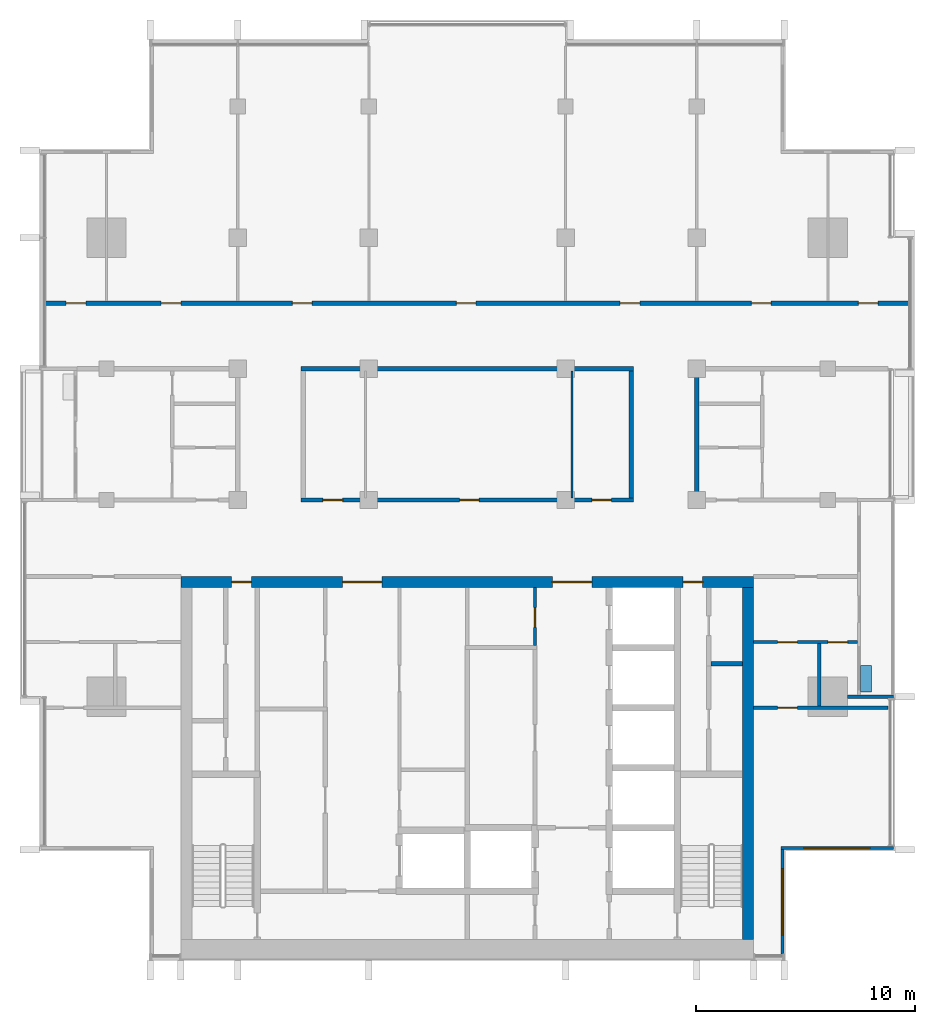
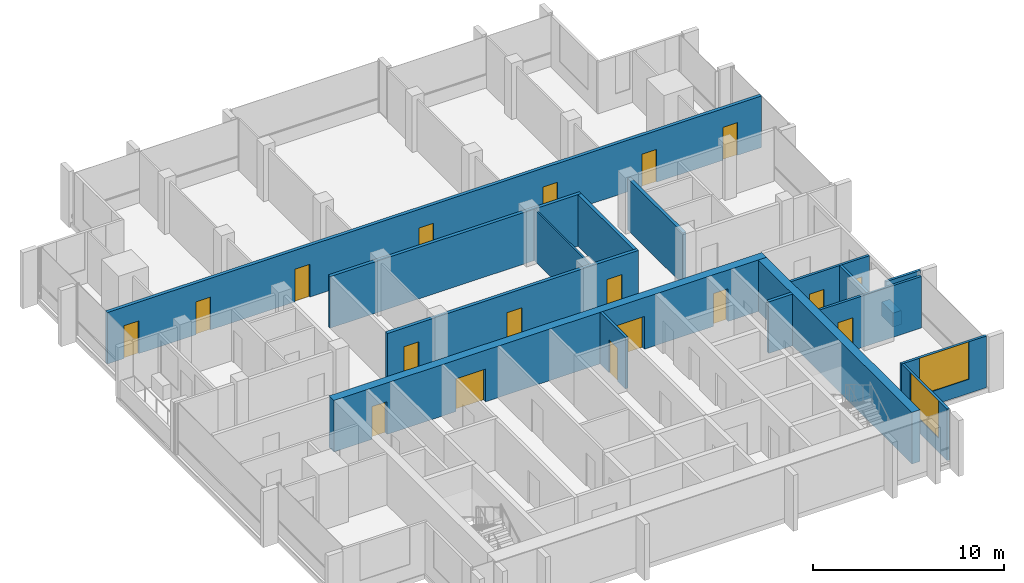
# One storey, part 9 of 15: 18 doors, 17 walls, 2 windows, 20 openings.
"""IFC4 building model written with IfcOpenShell, lengths in metres."""

from ifc_helpers import new_model, si_unit, direction, frame, frame_2d, origin, place, context, subcontext, project, spatial, rectangle, extrude, material, layer, layer_set, type_object, element, fill, save


model = new_model("IFC4")

# Units and contexts
model_context = context("Model", 3, precision=1e-05, world=origin(), true_north=direction((0.0, 1.0)))
body_context = subcontext(model_context, "Body", "Model", "MODEL_VIEW")
ifc_project = project(units=[si_unit("LENGTHUNIT", "METRE"), si_unit("AREAUNIT", "SQUARE_METRE"), si_unit("VOLUMEUNIT", "CUBIC_METRE"), si_unit("PLANEANGLEUNIT", "RADIAN"), si_unit("MASSUNIT", "GRAM", prefix="KILO")], contexts=[model_context])

# Site, building, storey
site_placement = place(None, origin())
site = spatial("IfcSite", under=ifc_project, at=site_placement, CompositionType="ELEMENT")
building_placement = place(site_placement, origin())
building = spatial("IfcBuilding", under=site, at=building_placement, Name="Finial Court Residences", CompositionType="ELEMENT")
storey_placement = place(building_placement, frame((0.0, 0.0, 266.300048828125)))
storey = spatial("IfcBuildingStorey", under=building, at=storey_placement, Name="L67", CompositionType="ELEMENT", Elevation=266.300048828125)

# Wall, openings, doors
ifc_material_1 = material(Name="Concrete C50/60", Category="concrete")
ifc_layer_1 = layer(ifc_material_1, 0.5)
ifc_layer_set_1 = layer_set([ifc_layer_1], Name="Core outer wall 500 Concrete C50/60")
wall_type_1 = type_object("IfcWallType", Name="Core outer wall 500 Concrete C50/60", PredefinedType="SHEAR", material=ifc_layer_set_1)
wall_1_placement = place(storey_placement, frame((-13.10009765625, -8.25, 0.0), z_axis=(0.0, 0.0, 1.0), x_axis=(1.0, 0.0, 0.0)))
wall_1 = element("IfcWall", 1, at=wall_1_placement, inside=storey, type_object=wall_type_1, Name="Core outer wall L67-02", PredefinedType="SHEAR", context=body_context, shape_type="SweptSolid", body=[
    extrude(rectangle(XDim=26.2001953125, YDim=0.5, at=frame_2d((13.10009765625, 0.0))), origin(), (0.0, 0.0, 1.0), 3.300048828125),
])
opening_1_placement = place(wall_1_placement, frame((7.39990234375, 0.0, 0.0)))
opening_1 = element("IfcOpeningElement", 2, at=opening_1_placement, cuts=wall_1, Name="Opening L67-C04", PredefinedType="OPENING", context=body_context, shape_type="SweptSolid", body=[
    extrude(rectangle(XDim=1.800048828125, YDim=2.10009765625, at=frame_2d((0.89990234375, 1.050048828125))), frame((0.0, 0.260009765625, 0.0), z_axis=(0.0, -1.0, 0.0), x_axis=(1.0, 0.0, 0.0)), (0.0, 0.0, 1.0), 0.52001953125),
])
opening_2_placement = place(wall_1_placement, frame((17.0, 0.0, 0.0)))
opening_2 = element("IfcOpeningElement", 3, at=opening_2_placement, cuts=wall_1, Name="Opening L67-C05", PredefinedType="OPENING", context=body_context, shape_type="SweptSolid", body=[
    extrude(rectangle(XDim=1.800048828125, YDim=2.10009765625, at=frame_2d((0.89990234375, 1.050048828125))), frame((0.0, 0.260009765625, 0.0), z_axis=(0.0, -1.0, 0.0), x_axis=(1.0, 0.0, 0.0)), (0.0, 0.0, 1.0), 0.52001953125),
])
opening_3_placement = place(wall_1_placement, frame((2.324951171875, 0.0, 0.0)))
opening_3 = element("IfcOpeningElement", 4, at=opening_3_placement, cuts=wall_1, Name="Opening L67-C11", PredefinedType="OPENING", context=body_context, shape_type="SweptSolid", body=[
    extrude(rectangle(XDim=0.89990234375, YDim=2.10009765625, at=frame_2d((0.449951171875, 1.050048828125))), frame((0.0, 0.260009765625, 0.0), z_axis=(0.0, -1.0, 0.0), x_axis=(1.0, 0.0, 0.0)), (0.0, 0.0, 1.0), 0.52001953125),
])
opening_4_placement = place(wall_1_placement, frame((22.97509765625, 0.0, 0.0)))
opening_4 = element("IfcOpeningElement", 5, at=opening_4_placement, cuts=wall_1, Name="Opening L67-C12", PredefinedType="OPENING", context=body_context, shape_type="SweptSolid", body=[
    extrude(rectangle(XDim=0.89990234375, YDim=2.10009765625, at=frame_2d((0.449951171875, 1.050048828125))), frame((0.0, 0.260009765625, 0.0), z_axis=(0.0, -1.0, 0.0), x_axis=(1.0, 0.0, 0.0)), (0.0, 0.0, 1.0), 0.52001953125),
])
ifc_material_2 = material(Name="Steel fire door", Category="steel")
door_type_1 = type_object("IfcDoorType", Name="Lift lobby door 1800 x 2100 EI 60", OperationType="DOUBLE_DOOR_SINGLE_SWING", PredefinedType="DOOR", material=ifc_material_2)
door_1_placement = place(opening_1_placement, origin())
door_1 = element("IfcDoor", 6, at=door_1_placement, inside=storey, type_object=door_type_1, Name="Lift lobby door L67-C04", OperationType="DOUBLE_DOOR_SINGLE_SWING", OverallHeight=2.10009765625, OverallWidth=1.800048828125, PredefinedType="DOOR", context=body_context, shape_type="SweptSolid", body=[
    extrude(rectangle(XDim=1.800048828125, YDim=2.10009765625, at=frame_2d((0.89990234375, 1.050048828125))), frame((0.0, 0.02490234375, 0.0), z_axis=(0.0, -1.0, 0.0), x_axis=(1.0, 0.0, 0.0)), (0.0, 0.0, 1.0), 0.050048828125),
])
fill(opening_1, door_1)
door_2_placement = place(opening_2_placement, origin())
door_2 = element("IfcDoor", 7, at=door_2_placement, inside=storey, type_object=door_type_1, Name="Lift lobby door L67-C05", OperationType="DOUBLE_DOOR_SINGLE_SWING", OverallHeight=2.10009765625, OverallWidth=1.800048828125, PredefinedType="DOOR", context=body_context, shape_type="SweptSolid", body=[
    extrude(rectangle(XDim=1.800048828125, YDim=2.10009765625, at=frame_2d((0.89990234375, 1.050048828125))), frame((0.0, 0.02490234375, 0.0), z_axis=(0.0, -1.0, 0.0), x_axis=(1.0, 0.0, 0.0)), (0.0, 0.0, 1.0), 0.050048828125),
])
fill(opening_2, door_2)
door_type_2 = type_object("IfcDoorType", Name="Riser room door 900 x 2100 EI 90", OperationType="NOTDEFINED", PredefinedType="DOOR", material=ifc_material_2)
door_3_placement = place(opening_3_placement, origin())
door_3 = element("IfcDoor", 8, at=door_3_placement, inside=storey, type_object=door_type_2, Name="Riser room door L67-C11", OperationType="SINGLE_SWING_RIGHT", OverallHeight=2.10009765625, OverallWidth=0.89990234375, PredefinedType="DOOR", context=body_context, shape_type="SweptSolid", body=[
    extrude(rectangle(XDim=0.89990234375, YDim=2.10009765625, at=frame_2d((0.449951171875, 1.050048828125))), frame((0.0, 0.02490234375, 0.0), z_axis=(0.0, -1.0, 0.0), x_axis=(1.0, 0.0, 0.0)), (0.0, 0.0, 1.0), 0.050048828125),
])
fill(opening_3, door_3)
door_4_placement = place(opening_4_placement, origin())
door_4 = element("IfcDoor", 9, at=door_4_placement, inside=storey, type_object=door_type_2, Name="Riser room door L67-C12", OperationType="SINGLE_SWING_LEFT", OverallHeight=2.10009765625, OverallWidth=0.89990234375, PredefinedType="DOOR", context=body_context, shape_type="SweptSolid", body=[
    extrude(rectangle(XDim=0.89990234375, YDim=2.10009765625, at=frame_2d((0.449951171875, 1.050048828125))), frame((0.0, 0.02490234375, 0.0), z_axis=(0.0, -1.0, 0.0), x_axis=(1.0, 0.0, 0.0)), (0.0, 0.0, 1.0), 0.050048828125),
])
fill(opening_4, door_4)

# Wall
wall_2_placement = place(storey_placement, frame((12.85009765625, -24.60009765625, 0.0), z_axis=(0.0, 0.0, 1.0), x_axis=(0.0, 1.0, 0.0)))
element("IfcWall", 10, at=wall_2_placement, inside=storey, type_object=wall_type_1, Name="Core outer wall L67-04", PredefinedType="SHEAR", context=body_context, shape_type="SweptSolid", body=[
    extrude(rectangle(XDim=16.10009765625, YDim=0.5, at=frame_2d((8.050048828125, 0.0))), origin(), (0.0, 0.0, 1.0), 3.300048828125),
])

# Wall, opening, door
ifc_material_3 = material(Name="Fire-rated gypsum board partition")
ifc_layer_2 = layer(ifc_material_3, 0.14990234375)
ifc_layer_set_2 = layer_set([ifc_layer_2], Name="Core room partition 150 EI 60")
wall_type_2 = type_object("IfcWallType", Name="Core room partition 150 EI 60", PredefinedType="PARTITIONING", material=ifc_layer_set_2)
wall_3_placement = place(storey_placement, frame((3.10009765625, -11.14990234375, 0.0), z_axis=(0.0, 0.0, 1.0), x_axis=(0.0, 1.0, 0.0)))
wall_3 = element("IfcWall", 11, at=wall_3_placement, inside=storey, type_object=wall_type_2, Name="Core partition L67-35", PredefinedType="PARTITIONING", context=body_context, shape_type="SweptSolid", body=[
    extrude(rectangle(XDim=2.64990234375, YDim=0.14990234375, at=frame_2d((1.324951171875, 0.0))), origin(), (0.0, 0.0, 1.0), 3.300048828125),
])
opening_5_placement = place(wall_3_placement, frame((0.824951171875, 0.0, 0.0)))
opening_5 = element("IfcOpeningElement", 12, at=opening_5_placement, cuts=wall_3, Name="Opening L67-C18", PredefinedType="OPENING", context=body_context, shape_type="SweptSolid", body=[
    extrude(rectangle(XDim=0.89990234375, YDim=2.10009765625, at=frame_2d((0.449951171875, 1.050048828125))), frame((0.0, 0.0849609375, 0.0), z_axis=(0.0, -1.0, 0.0), x_axis=(1.0, 0.0, 0.0)), (0.0, 0.0, 1.0), 0.169921875),
])
door_type_3 = type_object("IfcDoorType", Name="Core room door 900 x 2100 EI 60", OperationType="NOTDEFINED", PredefinedType="DOOR", material=ifc_material_2)
door_5_placement = place(opening_5_placement, origin())
door_5 = element("IfcDoor", 13, at=door_5_placement, inside=storey, type_object=door_type_3, Name="Core room door L67-C18", OperationType="SINGLE_SWING_LEFT", OverallHeight=2.10009765625, OverallWidth=0.89990234375, PredefinedType="DOOR", context=body_context, shape_type="SweptSolid", body=[
    extrude(rectangle(XDim=0.89990234375, YDim=2.10009765625, at=frame_2d((0.449951171875, 1.050048828125))), frame((0.0, 0.02490234375, 0.0), z_axis=(0.0, -1.0, 0.0), x_axis=(1.0, 0.0, 0.0)), (0.0, 0.0, 1.0), 0.050048828125),
])
fill(opening_5, door_5)

# Wall, openings, doors
ifc_material_4 = material(Name="Gypsum board")
ifc_layer_3 = layer(ifc_material_4, 0.02490234375)
ifc_material_5 = material(Name="Acoustic mineral wool in double frame")
ifc_layer_4 = layer(ifc_material_5, 0.14990234375)
ifc_layer_5 = layer(ifc_material_4, 0.02490234375)
ifc_layer_set_3 = layer_set([ifc_layer_3, ifc_layer_4, ifc_layer_5], Name="Corridor wall 200, 1 hour")
wall_type_3 = type_object("IfcWallType", Name="Corridor wall 200, 1 hour", PredefinedType="PARTITIONING", material=ifc_layer_set_3)
wall_4_placement = place(storey_placement, frame((-7.60009765625, -4.5, 0.0), z_axis=(0.0, 0.0, 1.0), x_axis=(1.0, 0.0, 0.0)))
wall_4 = element("IfcWall", 14, at=wall_4_placement, inside=storey, type_object=wall_type_3, Name="Partition L67-007", PredefinedType="PARTITIONING", context=body_context, shape_type="SweptSolid", body=[
    extrude(rectangle(XDim=15.2001953125, YDim=0.199951171875, at=frame_2d((7.60009765625, 0.0))), origin(), (0.0, 0.0, 1.0), 3.300048828125),
])
opening_6_placement = place(wall_4_placement, frame((1.0, 0.0, 0.0)))
opening_6 = element("IfcOpeningElement", 15, at=opening_6_placement, cuts=wall_4, Name="Opening L67-D010", PredefinedType="OPENING", context=body_context, shape_type="SweptSolid", body=[
    extrude(rectangle(XDim=0.89990234375, YDim=2.10009765625, at=frame_2d((0.449951171875, 1.050048828125))), frame((0.0, 0.10986328125, 0.0), z_axis=(0.0, -1.0, 0.0), x_axis=(1.0, 0.0, 0.0)), (0.0, 0.0, 1.0), 0.219970703125),
])
opening_7_placement = place(wall_4_placement, frame((7.25, 0.0, 0.0)))
opening_7 = element("IfcOpeningElement", 16, at=opening_7_placement, cuts=wall_4, Name="Opening L67-D011", PredefinedType="OPENING", context=body_context, shape_type="SweptSolid", body=[
    extrude(rectangle(XDim=0.89990234375, YDim=2.10009765625, at=frame_2d((0.449951171875, 1.050048828125))), frame((0.0, 0.10986328125, 0.0), z_axis=(0.0, -1.0, 0.0), x_axis=(1.0, 0.0, 0.0)), (0.0, 0.0, 1.0), 0.219970703125),
])
opening_8_placement = place(wall_4_placement, frame((13.300048828125, 0.0, 0.0)))
opening_8 = element("IfcOpeningElement", 17, at=opening_8_placement, cuts=wall_4, Name="Opening L67-D012", PredefinedType="OPENING", context=body_context, shape_type="SweptSolid", body=[
    extrude(rectangle(XDim=0.89990234375, YDim=2.10009765625, at=frame_2d((0.449951171875, 1.050048828125))), frame((0.0, 0.10986328125, 0.0), z_axis=(0.0, -1.0, 0.0), x_axis=(1.0, 0.0, 0.0)), (0.0, 0.0, 1.0), 0.219970703125),
])
ifc_material_6 = material(Name="Timber door leaf in hollow metal frame", Category="wood")
door_type_4 = type_object("IfcDoorType", Name="Fire door set 900 x 2100, 30 minutes", OperationType="SINGLE_SWING_LEFT", PredefinedType="DOOR", material=ifc_material_6)
door_6_placement = place(opening_6_placement, origin())
door_6 = element("IfcDoor", 18, at=door_6_placement, inside=storey, type_object=door_type_4, Name="Door L67-D010", OperationType="SINGLE_SWING_RIGHT", OverallHeight=2.10009765625, OverallWidth=0.89990234375, PredefinedType="DOOR", context=body_context, shape_type="SweptSolid", body=[
    extrude(rectangle(XDim=0.89990234375, YDim=2.10009765625, at=frame_2d((0.449951171875, 1.050048828125))), frame((0.0, 0.02490234375, 0.0), z_axis=(0.0, -1.0, 0.0), x_axis=(1.0, 0.0, 0.0)), (0.0, 0.0, 1.0), 0.050048828125),
])
fill(opening_6, door_6)
door_7_placement = place(opening_7_placement, origin())
door_7 = element("IfcDoor", 19, at=door_7_placement, inside=storey, type_object=door_type_4, Name="Door L67-D011", OperationType="SINGLE_SWING_LEFT", OverallHeight=2.10009765625, OverallWidth=0.89990234375, PredefinedType="DOOR", context=body_context, shape_type="SweptSolid", body=[
    extrude(rectangle(XDim=0.89990234375, YDim=2.10009765625, at=frame_2d((0.449951171875, 1.050048828125))), frame((0.0, 0.02490234375, 0.0), z_axis=(0.0, -1.0, 0.0), x_axis=(1.0, 0.0, 0.0)), (0.0, 0.0, 1.0), 0.050048828125),
])
fill(opening_7, door_7)
door_8_placement = place(opening_8_placement, origin())
door_8 = element("IfcDoor", 20, at=door_8_placement, inside=storey, type_object=door_type_4, Name="Door L67-D012", OperationType="SINGLE_SWING_LEFT", OverallHeight=2.10009765625, OverallWidth=0.89990234375, PredefinedType="DOOR", context=body_context, shape_type="SweptSolid", body=[
    extrude(rectangle(XDim=0.89990234375, YDim=2.10009765625, at=frame_2d((0.449951171875, 1.050048828125))), frame((0.0, 0.02490234375, 0.0), z_axis=(0.0, -1.0, 0.0), x_axis=(1.0, 0.0, 0.0)), (0.0, 0.0, 1.0), 0.050048828125),
])
fill(opening_8, door_8)

# Wall
wall_5_placement = place(storey_placement, frame((-7.60009765625, 1.5, 0.0), z_axis=(0.0, 0.0, 1.0), x_axis=(1.0, 0.0, 0.0)))
element("IfcWall", 21, at=wall_5_placement, inside=storey, type_object=wall_type_3, Name="Partition L67-014", PredefinedType="PARTITIONING", context=body_context, shape_type="SweptSolid", body=[
    extrude(rectangle(XDim=15.2001953125, YDim=0.199951171875, at=frame_2d((7.60009765625, 0.0))), origin(), (0.0, 0.0, 1.0), 3.300048828125),
])

# Wall, openings, doors
wall_6_placement = place(storey_placement, frame((-19.35009765625, 4.5, 0.0), z_axis=(0.0, 0.0, 1.0), x_axis=(1.0, 0.0, 0.0)))
wall_6 = element("IfcWall", 22, at=wall_6_placement, inside=storey, type_object=wall_type_3, Name="Partition L67-016", PredefinedType="PARTITIONING", context=body_context, shape_type="SweptSolid", body=[
    extrude(rectangle(XDim=39.60009765625, YDim=0.199951171875, at=frame_2d((19.800048828125, 0.0))), origin(), (0.0, 0.0, 1.0), 3.300048828125),
])
opening_9_placement = place(wall_6_placement, frame((1.0, 0.0, 0.0)))
opening_9 = element("IfcOpeningElement", 23, at=opening_9_placement, cuts=wall_6, Name="Opening L67-D016", PredefinedType="OPENING", context=body_context, shape_type="SweptSolid", body=[
    extrude(rectangle(XDim=0.89990234375, YDim=2.10009765625, at=frame_2d((0.449951171875, 1.050048828125))), frame((0.0, 0.10986328125, 0.0), z_axis=(0.0, -1.0, 0.0), x_axis=(1.0, 0.0, 0.0)), (0.0, 0.0, 1.0), 0.219970703125),
])
opening_10_placement = place(wall_6_placement, frame((5.35009765625, 0.0, 0.0)))
opening_10 = element("IfcOpeningElement", 24, at=opening_10_placement, cuts=wall_6, Name="Opening L67-D017", PredefinedType="OPENING", context=body_context, shape_type="SweptSolid", body=[
    extrude(rectangle(XDim=0.89990234375, YDim=2.10009765625, at=frame_2d((0.449951171875, 1.050048828125))), frame((0.0, 0.10986328125, 0.0), z_axis=(0.0, -1.0, 0.0), x_axis=(1.0, 0.0, 0.0)), (0.0, 0.0, 1.0), 0.219970703125),
])
opening_11_placement = place(wall_6_placement, frame((11.35009765625, 0.0, 0.0)))
opening_11 = element("IfcOpeningElement", 25, at=opening_11_placement, cuts=wall_6, Name="Opening L67-D018", PredefinedType="OPENING", context=body_context, shape_type="SweptSolid", body=[
    extrude(rectangle(XDim=0.89990234375, YDim=2.10009765625, at=frame_2d((0.449951171875, 1.050048828125))), frame((0.0, 0.10986328125, 0.0), z_axis=(0.0, -1.0, 0.0), x_axis=(1.0, 0.0, 0.0)), (0.0, 0.0, 1.0), 0.219970703125),
])
opening_12_placement = place(wall_6_placement, frame((18.85009765625, 0.0, 0.0)))
opening_12 = element("IfcOpeningElement", 26, at=opening_12_placement, cuts=wall_6, Name="Opening L67-D019", PredefinedType="OPENING", context=body_context, shape_type="SweptSolid", body=[
    extrude(rectangle(XDim=0.89990234375, YDim=2.10009765625, at=frame_2d((0.449951171875, 1.050048828125))), frame((0.0, 0.10986328125, 0.0), z_axis=(0.0, -1.0, 0.0), x_axis=(1.0, 0.0, 0.0)), (0.0, 0.0, 1.0), 0.219970703125),
])
opening_13_placement = place(wall_6_placement, frame((26.35009765625, 0.0, 0.0)))
opening_13 = element("IfcOpeningElement", 27, at=opening_13_placement, cuts=wall_6, Name="Opening L67-D020", PredefinedType="OPENING", context=body_context, shape_type="SweptSolid", body=[
    extrude(rectangle(XDim=0.89990234375, YDim=2.10009765625, at=frame_2d((0.449951171875, 1.050048828125))), frame((0.0, 0.10986328125, 0.0), z_axis=(0.0, -1.0, 0.0), x_axis=(1.0, 0.0, 0.0)), (0.0, 0.0, 1.0), 0.219970703125),
])
opening_14_placement = place(wall_6_placement, frame((32.35009765625, 0.0, 0.0)))
opening_14 = element("IfcOpeningElement", 28, at=opening_14_placement, cuts=wall_6, Name="Opening L67-D021", PredefinedType="OPENING", context=body_context, shape_type="SweptSolid", body=[
    extrude(rectangle(XDim=0.89990234375, YDim=2.10009765625, at=frame_2d((0.449951171875, 1.050048828125))), frame((0.0, 0.10986328125, 0.0), z_axis=(0.0, -1.0, 0.0), x_axis=(1.0, 0.0, 0.0)), (0.0, 0.0, 1.0), 0.219970703125),
])
opening_15_placement = place(wall_6_placement, frame((37.25, 0.0, 0.0)))
opening_15 = element("IfcOpeningElement", 29, at=opening_15_placement, cuts=wall_6, Name="Opening L67-D022", PredefinedType="OPENING", context=body_context, shape_type="SweptSolid", body=[
    extrude(rectangle(XDim=0.89990234375, YDim=2.10009765625, at=frame_2d((0.449951171875, 1.050048828125))), frame((0.0, 0.10986328125, 0.0), z_axis=(0.0, -1.0, 0.0), x_axis=(1.0, 0.0, 0.0)), (0.0, 0.0, 1.0), 0.219970703125),
])
door_9_placement = place(opening_9_placement, origin())
door_9 = element("IfcDoor", 30, at=door_9_placement, inside=storey, type_object=door_type_4, Name="Door L67-D016", OperationType="SINGLE_SWING_RIGHT", OverallHeight=2.10009765625, OverallWidth=0.89990234375, PredefinedType="DOOR", context=body_context, shape_type="SweptSolid", body=[
    extrude(rectangle(XDim=0.89990234375, YDim=2.10009765625, at=frame_2d((0.449951171875, 1.050048828125))), frame((0.0, 0.02490234375, 0.0), z_axis=(0.0, -1.0, 0.0), x_axis=(1.0, 0.0, 0.0)), (0.0, 0.0, 1.0), 0.050048828125),
])
fill(opening_9, door_9)
door_10_placement = place(opening_10_placement, origin())
door_10 = element("IfcDoor", 31, at=door_10_placement, inside=storey, type_object=door_type_4, Name="Door L67-D017", OperationType="SINGLE_SWING_RIGHT", OverallHeight=2.10009765625, OverallWidth=0.89990234375, PredefinedType="DOOR", context=body_context, shape_type="SweptSolid", body=[
    extrude(rectangle(XDim=0.89990234375, YDim=2.10009765625, at=frame_2d((0.449951171875, 1.050048828125))), frame((0.0, 0.02490234375, 0.0), z_axis=(0.0, -1.0, 0.0), x_axis=(1.0, 0.0, 0.0)), (0.0, 0.0, 1.0), 0.050048828125),
])
fill(opening_10, door_10)
door_11_placement = place(opening_11_placement, origin())
door_11 = element("IfcDoor", 32, at=door_11_placement, inside=storey, type_object=door_type_4, Name="Door L67-D018", OperationType="SINGLE_SWING_RIGHT", OverallHeight=2.10009765625, OverallWidth=0.89990234375, PredefinedType="DOOR", context=body_context, shape_type="SweptSolid", body=[
    extrude(rectangle(XDim=0.89990234375, YDim=2.10009765625, at=frame_2d((0.449951171875, 1.050048828125))), frame((0.0, 0.02490234375, 0.0), z_axis=(0.0, -1.0, 0.0), x_axis=(1.0, 0.0, 0.0)), (0.0, 0.0, 1.0), 0.050048828125),
])
fill(opening_11, door_11)
door_12_placement = place(opening_12_placement, origin())
door_12 = element("IfcDoor", 33, at=door_12_placement, inside=storey, type_object=door_type_4, Name="Door L67-D019", OperationType="SINGLE_SWING_RIGHT", OverallHeight=2.10009765625, OverallWidth=0.89990234375, PredefinedType="DOOR", context=body_context, shape_type="SweptSolid", body=[
    extrude(rectangle(XDim=0.89990234375, YDim=2.10009765625, at=frame_2d((0.449951171875, 1.050048828125))), frame((0.0, 0.02490234375, 0.0), z_axis=(0.0, -1.0, 0.0), x_axis=(1.0, 0.0, 0.0)), (0.0, 0.0, 1.0), 0.050048828125),
])
fill(opening_12, door_12)
door_13_placement = place(opening_13_placement, origin())
door_13 = element("IfcDoor", 34, at=door_13_placement, inside=storey, type_object=door_type_4, Name="Door L67-D020", OperationType="SINGLE_SWING_LEFT", OverallHeight=2.10009765625, OverallWidth=0.89990234375, PredefinedType="DOOR", context=body_context, shape_type="SweptSolid", body=[
    extrude(rectangle(XDim=0.89990234375, YDim=2.10009765625, at=frame_2d((0.449951171875, 1.050048828125))), frame((0.0, 0.02490234375, 0.0), z_axis=(0.0, -1.0, 0.0), x_axis=(1.0, 0.0, 0.0)), (0.0, 0.0, 1.0), 0.050048828125),
])
fill(opening_13, door_13)
door_14_placement = place(opening_14_placement, origin())
door_14 = element("IfcDoor", 35, at=door_14_placement, inside=storey, type_object=door_type_4, Name="Door L67-D021", OperationType="SINGLE_SWING_LEFT", OverallHeight=2.10009765625, OverallWidth=0.89990234375, PredefinedType="DOOR", context=body_context, shape_type="SweptSolid", body=[
    extrude(rectangle(XDim=0.89990234375, YDim=2.10009765625, at=frame_2d((0.449951171875, 1.050048828125))), frame((0.0, 0.02490234375, 0.0), z_axis=(0.0, -1.0, 0.0), x_axis=(1.0, 0.0, 0.0)), (0.0, 0.0, 1.0), 0.050048828125),
])
fill(opening_14, door_14)
door_15_placement = place(opening_15_placement, origin())
door_15 = element("IfcDoor", 36, at=door_15_placement, inside=storey, type_object=door_type_4, Name="Door L67-D022", OperationType="SINGLE_SWING_LEFT", OverallHeight=2.10009765625, OverallWidth=0.89990234375, PredefinedType="DOOR", context=body_context, shape_type="SweptSolid", body=[
    extrude(rectangle(XDim=0.89990234375, YDim=2.10009765625, at=frame_2d((0.449951171875, 1.050048828125))), frame((0.0, 0.02490234375, 0.0), z_axis=(0.0, -1.0, 0.0), x_axis=(1.0, 0.0, 0.0)), (0.0, 0.0, 1.0), 0.050048828125),
])
fill(opening_15, door_15)

# Walls
for number, where, z_axis, x_axis, name in (
    (37, (7.5, -4.39990234375, 0.0), (0.0, 0.0, 1.0), (0.0, 1.0, 0.0), "Partition L67-028"),
    (38, (10.5, -4.39990234375, 0.0), (0.0, 0.0, 1.0), (0.0, 1.0, 0.0), "Partition L67-029"),
):
    element("IfcWall", number, at=place(storey_placement, frame(where, z_axis=z_axis, x_axis=x_axis)), inside=storey, type_object=wall_type_3, Name=name, PredefinedType="PARTITIONING", context=body_context, shape_type="SweptSolid", body=[
        extrude(rectangle(XDim=5.7998046875, YDim=0.199951171875, at=frame_2d((2.89990234375, 0.0))), origin(), (0.0, 0.0, 1.0), 3.300048828125),
    ])
ifc_layer_6 = layer(ifc_material_4, 0.012451171875)
ifc_material_7 = material(Name="Mineral wool in light-gauge frame")
ifc_layer_7 = layer(ifc_material_7, 0.074951171875)
ifc_layer_8 = layer(ifc_material_4, 0.012451171875)
ifc_layer_set_4 = layer_set([ifc_layer_6, ifc_layer_7, ifc_layer_8], Name="Gypsum board partition 100")
wall_type_4 = type_object("IfcWallType", Name="Gypsum board partition 100", PredefinedType="PARTITIONING", material=ifc_layer_set_4)
wall_7_placement = place(storey_placement, frame((4.800048828125, -4.39990234375, 0.0), z_axis=(0.0, 0.0, 1.0), x_axis=(0.0, 1.0, 0.0)))
element("IfcWall", 39, at=wall_7_placement, inside=storey, type_object=wall_type_4, Name="Partition L67-027", PredefinedType="PARTITIONING", context=body_context, shape_type="SweptSolid", body=[
    extrude(rectangle(XDim=5.7998046875, YDim=0.10009765625, at=frame_2d((2.89990234375, 0.0))), origin(), (0.0, 0.0, 1.0), 3.300048828125),
])

# Wall, opening, door
ifc_material_8 = material(Name="Moisture-resistant gypsum board")
ifc_layer_9 = layer(ifc_material_8, 0.012451171875)
ifc_layer_10 = layer(ifc_material_7, 0.125)
ifc_layer_11 = layer(ifc_material_8, 0.012451171875)
ifc_layer_set_5 = layer_set([ifc_layer_9, ifc_layer_10, ifc_layer_11], Name="Gypsum board wet-area partition 150")
wall_type_5 = type_object("IfcWallType", Name="Gypsum board wet-area partition 150", PredefinedType="PARTITIONING", material=ifc_layer_set_5)
wall_8_placement = place(storey_placement, frame((13.10009765625, -14.0, 0.0), z_axis=(0.0, 0.0, 1.0), x_axis=(1.0, 0.0, 0.0)))
wall_8 = element("IfcWall", 40, at=wall_8_placement, inside=storey, type_object=wall_type_5, Name="Partition L67-001", PredefinedType="PARTITIONING", context=body_context, shape_type="SweptSolid", body=[
    extrude(rectangle(XDim=6.162353515625, YDim=0.14990234375, at=frame_2d((3.0810546875, 0.0))), origin(), (0.0, 0.0, 1.0), 3.300048828125),
])
opening_16_placement = place(wall_8_placement, frame((1.10009765625, 0.0, 0.0)))
opening_16 = element("IfcOpeningElement", 41, at=opening_16_placement, cuts=wall_8, Name="Opening L67-D002", PredefinedType="OPENING", context=body_context, shape_type="SweptSolid", body=[
    extrude(rectangle(XDim=0.89990234375, YDim=2.10009765625, at=frame_2d((0.449951171875, 1.050048828125))), frame((0.0, 0.0849609375, 0.0), z_axis=(0.0, -1.0, 0.0), x_axis=(1.0, 0.0, 0.0)), (0.0, 0.0, 1.0), 0.169921875),
])
ifc_material_9 = material(Name="Timber door leaf in timber frame", Category="wood")
door_type_5 = type_object("IfcDoorType", Name="Door set 900 x 2100", OperationType="SINGLE_SWING_LEFT", PredefinedType="DOOR", material=ifc_material_9)
door_16_placement = place(opening_16_placement, origin())
door_16 = element("IfcDoor", 42, at=door_16_placement, inside=storey, type_object=door_type_5, Name="Door L67-D002", OperationType="SINGLE_SWING_LEFT", OverallHeight=2.10009765625, OverallWidth=0.89990234375, PredefinedType="DOOR", context=body_context, shape_type="SweptSolid", body=[
    extrude(rectangle(XDim=0.89990234375, YDim=2.10009765625, at=frame_2d((0.449951171875, 1.050048828125))), frame((0.0, 0.02490234375, 0.0), z_axis=(0.0, -1.0, 0.0), x_axis=(1.0, 0.0, 0.0)), (0.0, 0.0, 1.0), 0.050048828125),
])
fill(opening_16, door_16)

# Wall, openings, doors
wall_9_placement = place(storey_placement, frame((13.10009765625, -11.0, 0.0), z_axis=(0.0, 0.0, 1.0), x_axis=(1.0, 0.0, 0.0)))
wall_9 = element("IfcWall", 43, at=wall_9_placement, inside=storey, type_object=wall_type_5, Name="Partition L67-003", PredefinedType="PARTITIONING", context=body_context, shape_type="SweptSolid", body=[
    extrude(rectangle(XDim=4.75, YDim=0.14990234375, at=frame_2d((2.375, 0.0))), origin(), (0.0, 0.0, 1.0), 3.300048828125),
])
opening_17_placement = place(wall_9_placement, frame((1.10009765625, 0.0, 0.0)))
opening_17 = element("IfcOpeningElement", 44, at=opening_17_placement, cuts=wall_9, Name="Opening L67-D005", PredefinedType="OPENING", context=body_context, shape_type="SweptSolid", body=[
    extrude(rectangle(XDim=0.89990234375, YDim=2.10009765625, at=frame_2d((0.449951171875, 1.050048828125))), frame((0.0, 0.0849609375, 0.0), z_axis=(0.0, -1.0, 0.0), x_axis=(1.0, 0.0, 0.0)), (0.0, 0.0, 1.0), 0.169921875),
])
opening_18_placement = place(wall_9_placement, frame((3.39990234375, 0.0, 0.0)))
opening_18 = element("IfcOpeningElement", 45, at=opening_18_placement, cuts=wall_9, Name="Opening L67-D006", PredefinedType="OPENING", context=body_context, shape_type="SweptSolid", body=[
    extrude(rectangle(XDim=0.89990234375, YDim=2.10009765625, at=frame_2d((0.449951171875, 1.050048828125))), frame((0.0, 0.0849609375, 0.0), z_axis=(0.0, -1.0, 0.0), x_axis=(1.0, 0.0, 0.0)), (0.0, 0.0, 1.0), 0.169921875),
])
door_17_placement = place(opening_17_placement, origin())
door_17 = element("IfcDoor", 46, at=door_17_placement, inside=storey, type_object=door_type_5, Name="Door L67-D005", OperationType="SINGLE_SWING_LEFT", OverallHeight=2.10009765625, OverallWidth=0.89990234375, PredefinedType="DOOR", context=body_context, shape_type="SweptSolid", body=[
    extrude(rectangle(XDim=0.89990234375, YDim=2.10009765625, at=frame_2d((0.449951171875, 1.050048828125))), frame((0.0, 0.02490234375, 0.0), z_axis=(0.0, -1.0, 0.0), x_axis=(1.0, 0.0, 0.0)), (0.0, 0.0, 1.0), 0.050048828125),
])
fill(opening_17, door_17)
door_18_placement = place(opening_18_placement, origin())
door_18 = element("IfcDoor", 47, at=door_18_placement, inside=storey, type_object=door_type_5, Name="Door L67-D006", OperationType="SINGLE_SWING_RIGHT", OverallHeight=2.10009765625, OverallWidth=0.89990234375, PredefinedType="DOOR", context=body_context, shape_type="SweptSolid", body=[
    extrude(rectangle(XDim=0.89990234375, YDim=2.10009765625, at=frame_2d((0.449951171875, 1.050048828125))), frame((0.0, 0.02490234375, 0.0), z_axis=(0.0, -1.0, 0.0), x_axis=(1.0, 0.0, 0.0)), (0.0, 0.0, 1.0), 0.050048828125),
])
fill(opening_18, door_18)

# Wall
wall_10_placement = place(storey_placement, frame((16.10009765625, -13.925048828125, 0.0), z_axis=(0.0, 0.0, 1.0), x_axis=(0.0, 1.0, 0.0)))
element("IfcWall", 48, at=wall_10_placement, inside=storey, type_object=wall_type_5, Name="Partition L67-033", PredefinedType="PARTITIONING", context=body_context, shape_type="SweptSolid", body=[
    extrude(rectangle(XDim=2.85009765625, YDim=0.14990234375, at=frame_2d((1.425048828125, 0.0))), origin(), (0.0, 0.0, 1.0), 3.300048828125),
])

# Wall, opening, window
ifc_material_10 = material(Name="Natural limestone", Category="masonry")
ifc_layer_12 = layer(ifc_material_10, 0.14990234375)
ifc_layer_set_6 = layer_set([ifc_layer_12], Name="Limestone clad wall 150")
wall_type_6 = type_object("IfcWallType", Name="Limestone clad wall 150", PredefinedType="SOLIDWALL", material=ifc_layer_set_6)
wall_11_placement = place(storey_placement, frame((14.425048828125, -20.5, 0.0), z_axis=(0.0, 0.0, 1.0), x_axis=(0.0, -1.0, 0.0)))
wall_11 = element("IfcWall", 49, at=wall_11_placement, inside=storey, type_object=wall_type_6, Name="E-L67-NWE15", PredefinedType="SOLIDWALL", context=body_context, shape_type="SweptSolid", body=[
    extrude(rectangle(XDim=4.762451171875, YDim=0.14990234375, at=frame_2d((2.38134765625, 0.0))), origin(), (0.0, 0.0, 1.0), 3.300048828125),
])
opening_19_placement = place(wall_11_placement, frame((0.88134765625, 0.0, 0.89990234375)))
opening_19 = element("IfcOpeningElement", 50, at=opening_19_placement, cuts=wall_11, Name="Opening WE67-03", PredefinedType="OPENING", context=body_context, shape_type="SweptSolid", body=[
    extrude(rectangle(XDim=3.0, YDim=2.39990234375, at=frame_2d((1.5, 1.199951171875))), frame((0.0, 0.0849609375, 0.0), z_axis=(0.0, -1.0, 0.0), x_axis=(1.0, 0.0, 0.0)), (0.0, 0.0, 1.0), 0.169921875),
])
ifc_material_11 = material(Name="Clear low-e glass", Category="glass")
window_type = type_object("IfcWindowType", Name="Corner window 3000 x 2400", PartitioningType="SINGLE_PANEL", PredefinedType="WINDOW", material=ifc_material_11)
window_1_placement = place(opening_19_placement, origin())
window_1 = element("IfcWindow", 51, at=window_1_placement, inside=storey, type_object=window_type, Name="E-L67-NWE15-W1", OverallHeight=2.39990234375, OverallWidth=3.0, PartitioningType="SINGLE_PANEL", PredefinedType="WINDOW", context=body_context, shape_type="SweptSolid", body=[
    extrude(rectangle(XDim=3.0, YDim=2.39990234375, at=frame_2d((1.5, 1.199951171875))), frame((0.0, 0.030029296875, 0.0), z_axis=(0.0, -1.0, 0.0), x_axis=(1.0, 0.0, 0.0)), (0.0, 0.0, 1.0), 0.06005859375),
])
fill(opening_19, window_1)

wall_12_placement = place(storey_placement, frame((19.5, -20.425048828125, 0.0), z_axis=(0.0, 0.0, 1.0), x_axis=(-1.0, 0.0, 0.0)))
wall_12 = element("IfcWall", 52, at=wall_12_placement, inside=storey, type_object=wall_type_6, Name="E-L67-NWS16", PredefinedType="SOLIDWALL", context=body_context, shape_type="SweptSolid", body=[
    extrude(rectangle(XDim=5.14990234375, YDim=0.14990234375, at=frame_2d((2.574951171875, 0.0))), origin(), (0.0, 0.0, 1.0), 3.300048828125),
])
opening_20_placement = place(wall_12_placement, frame((1.074951171875, 0.0, 0.89990234375)))
opening_20 = element("IfcOpeningElement", 53, at=opening_20_placement, cuts=wall_12, Name="Opening WE67-04", PredefinedType="OPENING", context=body_context, shape_type="SweptSolid", body=[
    extrude(rectangle(XDim=3.0, YDim=2.39990234375, at=frame_2d((1.5, 1.199951171875))), frame((0.0, 0.0849609375, 0.0), z_axis=(0.0, -1.0, 0.0), x_axis=(1.0, 0.0, 0.0)), (0.0, 0.0, 1.0), 0.169921875),
])
window_2_placement = place(opening_20_placement, origin())
window_2 = element("IfcWindow", 54, at=window_2_placement, inside=storey, type_object=window_type, Name="E-L67-NWS16-W1", OverallHeight=2.39990234375, OverallWidth=3.0, PartitioningType="SINGLE_PANEL", PredefinedType="WINDOW", context=body_context, shape_type="SweptSolid", body=[
    extrude(rectangle(XDim=3.0, YDim=2.39990234375, at=frame_2d((1.5, 1.199951171875))), frame((0.0, 0.030029296875, 0.0), z_axis=(0.0, -1.0, 0.0), x_axis=(1.0, 0.0, 0.0)), (0.0, 0.0, 1.0), 0.06005859375),
])
fill(opening_20, window_2)

# Walls
wall_13_placement = place(storey_placement, frame((17.39990234375, -13.5, 0.0), z_axis=(0.0, 0.0, 1.0), x_axis=(1.0, 0.0, 0.0)))
element("IfcWall", 55, at=wall_13_placement, inside=storey, type_object=wall_type_6, Name="E-L67-BALE2-P1", PredefinedType="SOLIDWALL", context=body_context, shape_type="SweptSolid", body=[
    extrude(rectangle(XDim=2.10009765625, YDim=0.14990234375, at=frame_2d((1.050048828125, 0.0))), origin(), (0.0, 0.0, 1.0), 3.300048828125),
])
ifc_material_12 = material(Name="Concrete C40/50", Category="concrete")
ifc_layer_13 = layer(ifc_material_12, 0.10009765625)
ifc_material_13 = material(Name="Planting soil", Category="soil")
ifc_layer_14 = layer(ifc_material_13, 0.300048828125)
ifc_layer_15 = layer(ifc_material_12, 0.10009765625)
ifc_layer_set_7 = layer_set([ifc_layer_13, ifc_layer_14, ifc_layer_15], Name="Planter wall, balcony")
wall_type_7 = type_object("IfcWallType", Name="Planter wall, balcony", PredefinedType="USERDEFINED", material=ifc_layer_set_7)
wall_14_placement = place(storey_placement, frame((18.25, -13.27490234375, 0.0), z_axis=(0.0, 0.0, 1.0), x_axis=(0.0, 1.0, 0.0)))
element("IfcWall", 56, at=wall_14_placement, inside=storey, type_object=wall_type_7, Name="E-L67-BALE2-PL", ObjectType="PLANTER", PredefinedType="USERDEFINED", context=body_context, shape_type="SweptSolid", body=[
    extrude(rectangle(XDim=1.199951171875, YDim=0.5, at=frame_2d((0.60009765625, 0.0))), origin(), (0.0, 0.0, 1.0), 0.89990234375),
])
ifc_layer_16 = layer(ifc_material_3, 0.199951171875)
ifc_layer_set_8 = layer_set([ifc_layer_16], Name="Riser room wall 200 EI 120")
wall_type_8 = type_object("IfcWallType", Name="Riser room wall 200 EI 120", PredefinedType="PARTITIONING", material=ifc_layer_set_8)
wall_15_placement = place(storey_placement, frame((11.14990234375, -12.0, 0.0), z_axis=(0.0, 0.0, 1.0), x_axis=(1.0, 0.0, 0.0)))
element("IfcWall", 57, at=wall_15_placement, inside=storey, type_object=wall_type_8, Name="Core partition L67-16", PredefinedType="PARTITIONING", context=body_context, shape_type="SweptSolid", body=[
    extrude(rectangle(XDim=1.4501953125, YDim=0.199951171875, at=frame_2d((0.72509765625, 0.0))), origin(), (0.0, 0.0, 1.0), 3.300048828125),
])

save(model, "model.ifc")
